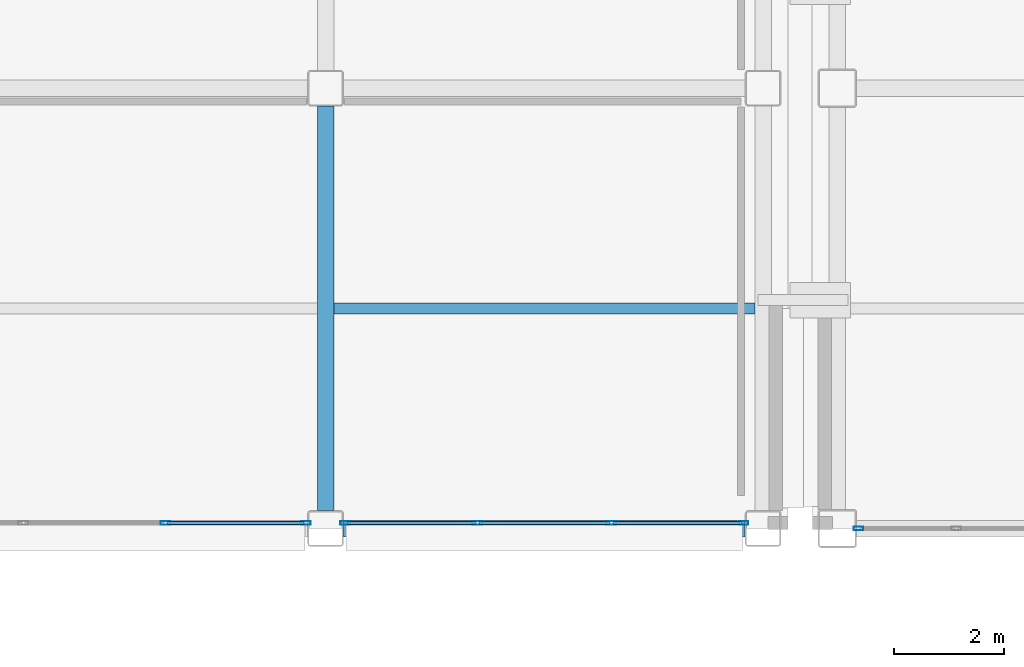
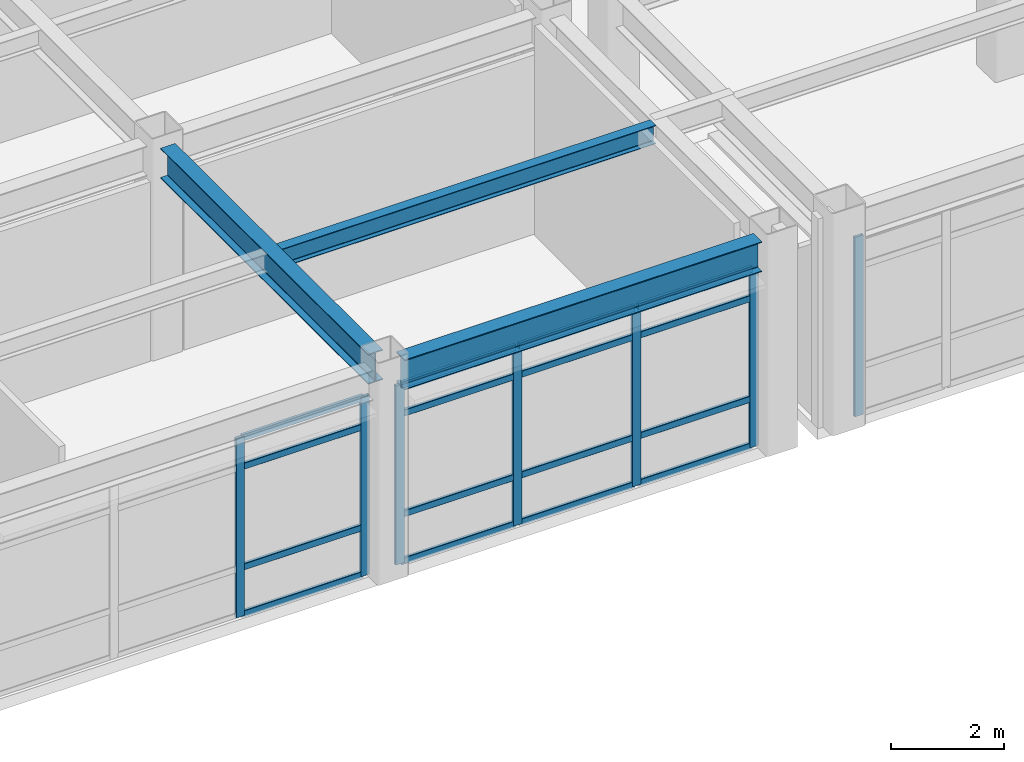
# One storey, part 45 of 172: 23 members, 3 beams, 3 elements without a shape of their own.
"""IFC4 building model written with IfcOpenShell, lengths in metres."""

from ifc_helpers import new_model, si_unit, direction, frame, origin, origin_2d, place, context, subcontext, project, spatial, hollow_rectangle, i_section, extrude, material, layer, layer_set, material_profile, profile_set, type_object, element, aggregate, save


model = new_model("IFC4")

# Units and contexts
model_context = context("Model", 3, precision=1e-05, world=origin(), true_north=direction((0.0, 1.0)))
body_context = subcontext(model_context, "Body", "Model", "MODEL_VIEW")
ifc_project = project(units=[si_unit("LENGTHUNIT", "METRE"), si_unit("AREAUNIT", "SQUARE_METRE"), si_unit("VOLUMEUNIT", "CUBIC_METRE"), si_unit("PLANEANGLEUNIT", "RADIAN"), si_unit("MASSUNIT", "GRAM", prefix="KILO")], contexts=[model_context])

# Site, building, storey
site_placement = place(None, origin())
site = spatial("IfcSite", under=ifc_project, at=site_placement, CompositionType="ELEMENT")
building_placement = place(site_placement, origin())
building = spatial("IfcBuilding", under=site, at=building_placement, Name="Kazehara Bluff Congress Hotel", CompositionType="ELEMENT")
storey_placement = place(building_placement, frame((0.0, 0.0, 5.39990234375)))
storey = spatial("IfcBuildingStorey", under=building, at=storey_placement, Name="L01", CompositionType="ELEMENT", Elevation=5.39990234375)

# Curtain wall, member
ifc_material_1 = material(Name="Anodised aluminium", Category="aluminium")
ifc_layer_1 = layer(ifc_material_1, 0.159912109375)
ifc_layer_set_1 = layer_set([ifc_layer_1], Name="Anodised aluminium")
curtain_wall_type_1 = type_object("IfcCurtainWallType", Name="TP-CW-78", PredefinedType="NOTDEFINED", material=ifc_layer_set_1)
curtain_wall_1_placement = place(storey_placement, origin())
curtain_wall_1 = element("IfcCurtainWall", 1, at=curtain_wall_1_placement, inside=storey, type_object=curtain_wall_type_1, Name="L01 curtain wall CW-78 CW-V5-L01-Y1600-11090", PredefinedType="NOTDEFINED")
ifc_material_2 = material(Name="Anodised aluminium", Category="aluminium")
ifc_material_profile_1 = material_profile(ifc_material_2, hollow_rectangle(XDim=0.06494140625, YDim=0.179931640625, WallThickness=0.00390625, InnerFilletRadius=0.00390625, OuterFilletRadius=0.008056640625, at=origin_2d()))
ifc_profile_set_1 = profile_set([ifc_material_profile_1], Name="Anodised aluminium")
member_type_1 = type_object("IfcMemberType", Name="TP-CWM-02", PredefinedType="MULLION", material=ifc_profile_set_1)
member_1_placement = place(storey_placement, frame((110.9326171875, 16.0, 0.0), z_axis=(0.0, 0.0, 1.0), x_axis=(0.0, 1.0, 0.0)))
member_1 = element("IfcMember", 2, at=member_1_placement, type_object=member_type_1, Name="CW-78 mullion 1", PredefinedType="MULLION", context=body_context, shape_type="SweptSolid", body=[
    extrude(hollow_rectangle(XDim=0.06494140625, YDim=0.179931640625, WallThickness=0.00390625, InnerFilletRadius=0.00390625, OuterFilletRadius=0.008056640625, at=origin_2d()), origin(), (0.0, 0.0, 1.0), 3.875),
])
aggregate(curtain_wall_1, [member_1])

# Curtain wall, members
ifc_material_3 = material(Name="Anodised aluminium", Category="aluminium")
ifc_layer_2 = layer(ifc_material_3, 0.159912109375)
ifc_layer_set_2 = layer_set([ifc_layer_2], Name="Anodised aluminium")
curtain_wall_type_2 = type_object("IfcCurtainWallType", Name="TP-CW-24", PredefinedType="NOTDEFINED", material=ifc_layer_set_2)
curtain_wall_2_placement = place(storey_placement, origin())
curtain_wall_2 = element("IfcCurtainWall", 3, at=curtain_wall_2_placement, inside=storey, type_object=curtain_wall_type_2, Name="L01 curtain wall CW-24 CW-ENC-V4-L01-9705-1610", PredefinedType="NOTDEFINED")
member_2_placement = place(storey_placement, frame((100.892578125, 16.10009765625, 0.0), z_axis=(0.0, 0.0, 1.0), x_axis=(0.0, -1.0, 0.0)))
member_2 = element("IfcMember", 4, at=member_2_placement, type_object=member_type_1, Name="CW-24 mullion 1", PredefinedType="MULLION", context=body_context, shape_type="SweptSolid", body=[
    extrude(hollow_rectangle(XDim=0.06494140625, YDim=0.179931640625, WallThickness=0.00390625, InnerFilletRadius=0.00390625, OuterFilletRadius=0.008056640625, at=origin_2d()), origin(), (0.0, 0.0, 1.0), 3.875),
])
member_3_placement = place(storey_placement, frame((98.341552734375, 16.10009765625, 0.0), z_axis=(0.0, 0.0, 1.0), x_axis=(0.0, -1.0, 0.0)))
member_3 = element("IfcMember", 5, at=member_3_placement, type_object=member_type_1, Name="CW-24 mullion 2", PredefinedType="MULLION", context=body_context, shape_type="SweptSolid", body=[
    extrude(hollow_rectangle(XDim=0.06494140625, YDim=0.179931640625, WallThickness=0.00390625, InnerFilletRadius=0.00390625, OuterFilletRadius=0.008056640625, at=origin_2d()), origin(), (0.0, 0.0, 1.0), 3.875),
])

ifc_material_4 = material(Name="Anodised aluminium", Category="aluminium")
ifc_layer_3 = layer(ifc_material_4, 0.159912109375)
ifc_layer_set_3 = layer_set([ifc_layer_3], Name="Anodised aluminium")
curtain_wall_type_3 = type_object("IfcCurtainWallType", Name="TP-CW-80", PredefinedType="NOTDEFINED", material=ifc_layer_set_3)
curtain_wall_3_placement = place(storey_placement, origin())
curtain_wall_3 = element("IfcCurtainWall", 6, at=curtain_wall_3_placement, inside=storey, type_object=curtain_wall_type_3, Name="L01 curtain wall CW-80 CW-ENC-V4-L01-10522-1610", PredefinedType="NOTDEFINED")
member_4_placement = place(storey_placement, frame((108.842529296875, 16.10009765625, 0.0), z_axis=(0.0, 0.0, 1.0), x_axis=(0.0, -1.0, 0.0)))
member_4 = element("IfcMember", 7, at=member_4_placement, type_object=member_type_1, Name="CW-80 mullion 1", PredefinedType="MULLION", context=body_context, shape_type="SweptSolid", body=[
    extrude(hollow_rectangle(XDim=0.06494140625, YDim=0.179931640625, WallThickness=0.00390625, InnerFilletRadius=0.00390625, OuterFilletRadius=0.008056640625, at=origin_2d()), origin(), (0.0, 0.0, 1.0), 3.875),
])
member_5_placement = place(storey_placement, frame((106.441650390625, 16.10009765625, 0.0), z_axis=(0.0, 0.0, 1.0), x_axis=(0.0, -1.0, 0.0)))
member_5 = element("IfcMember", 8, at=member_5_placement, type_object=member_type_1, Name="CW-80 mullion 2", PredefinedType="MULLION", context=body_context, shape_type="SweptSolid", body=[
    extrude(hollow_rectangle(XDim=0.06494140625, YDim=0.179931640625, WallThickness=0.00390625, InnerFilletRadius=0.00390625, OuterFilletRadius=0.008056640625, at=origin_2d()), origin(), (0.0, 0.0, 1.0), 3.875),
])
member_6_placement = place(storey_placement, frame((104.00830078125, 16.10009765625, 0.0), z_axis=(0.0, 0.0, 1.0), x_axis=(0.0, -1.0, 0.0)))
member_6 = element("IfcMember", 9, at=member_6_placement, type_object=member_type_1, Name="CW-80 mullion 3", PredefinedType="MULLION", context=body_context, shape_type="SweptSolid", body=[
    extrude(hollow_rectangle(XDim=0.06494140625, YDim=0.179931640625, WallThickness=0.00390625, InnerFilletRadius=0.00390625, OuterFilletRadius=0.008056640625, at=origin_2d()), origin(), (0.0, 0.0, 1.0), 3.875),
])
member_7_placement = place(storey_placement, frame((101.607421875, 16.10009765625, 0.0), z_axis=(0.0, 0.0, 1.0), x_axis=(0.0, -1.0, 0.0)))
member_7 = element("IfcMember", 10, at=member_7_placement, type_object=member_type_1, Name="CW-80 mullion 4", PredefinedType="MULLION", context=body_context, shape_type="SweptSolid", body=[
    extrude(hollow_rectangle(XDim=0.06494140625, YDim=0.179931640625, WallThickness=0.00390625, InnerFilletRadius=0.00390625, OuterFilletRadius=0.008056640625, at=origin_2d()), origin(), (0.0, 0.0, 1.0), 3.875),
])

# Member
ifc_material_5 = material(Name="Anodised aluminium", Category="aluminium")
ifc_material_profile_2 = material_profile(ifc_material_5, hollow_rectangle(XDim=0.06494140625, YDim=0.139892578125, WallThickness=0.00390625, InnerFilletRadius=0.00390625, OuterFilletRadius=0.008056640625, at=origin_2d()))
ifc_profile_set_2 = profile_set([ifc_material_profile_2], Name="Anodised aluminium")
member_type_2 = type_object("IfcMemberType", Name="TP-CWT-02", PredefinedType="USERDEFINED", material=ifc_profile_set_2)
member_8_placement = place(storey_placement, frame((100.860107421875, 16.10009765625, 0.03271484375), z_axis=(-1.0, 0.0, 0.0), x_axis=(0.0, -1.0, 0.0)))
member_8 = element("IfcMember", 11, at=member_8_placement, type_object=member_type_2, Name="CW-24 transom 1.1", ObjectType="TRANSOM", PredefinedType="USERDEFINED", context=body_context, shape_type="SweptSolid", body=[
    extrude(hollow_rectangle(XDim=0.06494140625, YDim=0.139892578125, WallThickness=0.00390625, InnerFilletRadius=0.00390625, OuterFilletRadius=0.008056640625, at=origin_2d()), origin(), (0.0, 0.0, 1.0), 2.48583984375),
])

member_9_placement = place(storey_placement, frame((100.860107421875, 16.10009765625, 1.050048828125), z_axis=(-1.0, 0.0, 0.0), x_axis=(0.0, -1.0, 0.0)))
member_9 = element("IfcMember", 12, at=member_9_placement, type_object=member_type_2, Name="CW-24 transom 1.2", ObjectType="TRANSOM", PredefinedType="USERDEFINED", context=body_context, shape_type="SweptSolid", body=[
    extrude(hollow_rectangle(XDim=0.06494140625, YDim=0.139892578125, WallThickness=0.00390625, InnerFilletRadius=0.00390625, OuterFilletRadius=0.008056640625, at=origin_2d()), origin(), (0.0, 0.0, 1.0), 2.48583984375),
])

member_10_placement = place(storey_placement, frame((100.860107421875, 16.10009765625, 3.22509765625), z_axis=(-1.0, 0.0, 0.0), x_axis=(0.0, -1.0, 0.0)))
member_10 = element("IfcMember", 13, at=member_10_placement, type_object=member_type_2, Name="CW-24 transom 1.3", ObjectType="TRANSOM", PredefinedType="USERDEFINED", context=body_context, shape_type="SweptSolid", body=[
    extrude(hollow_rectangle(XDim=0.06494140625, YDim=0.139892578125, WallThickness=0.00390625, InnerFilletRadius=0.00390625, OuterFilletRadius=0.008056640625, at=origin_2d()), origin(), (0.0, 0.0, 1.0), 2.48583984375),
])

member_11_placement = place(storey_placement, frame((100.860107421875, 16.10009765625, 3.842529296875), z_axis=(-1.0, 0.0, 0.0), x_axis=(0.0, -1.0, 0.0)))
member_11 = element("IfcMember", 14, at=member_11_placement, type_object=member_type_2, Name="CW-24 transom 1.4", ObjectType="TRANSOM", PredefinedType="USERDEFINED", context=body_context, shape_type="SweptSolid", body=[
    extrude(hollow_rectangle(XDim=0.06494140625, YDim=0.139892578125, WallThickness=0.00390625, InnerFilletRadius=0.00390625, OuterFilletRadius=0.008056640625, at=origin_2d()), origin(), (0.0, 0.0, 1.0), 2.48583984375),
])

aggregate(curtain_wall_2, [member_2, member_3, member_8, member_9, member_10, member_11])

member_12_placement = place(storey_placement, frame((108.81005859375, 16.10009765625, 0.03271484375), z_axis=(-1.0, 0.0, 0.0), x_axis=(0.0, -1.0, 0.0)))
member_12 = element("IfcMember", 15, at=member_12_placement, type_object=member_type_2, Name="CW-80 transom 1.1", ObjectType="TRANSOM", PredefinedType="USERDEFINED", context=body_context, shape_type="SweptSolid", body=[
    extrude(hollow_rectangle(XDim=0.06494140625, YDim=0.139892578125, WallThickness=0.00390625, InnerFilletRadius=0.00390625, OuterFilletRadius=0.008056640625, at=origin_2d()), origin(), (0.0, 0.0, 1.0), 2.3359375),
])

member_13_placement = place(storey_placement, frame((108.81005859375, 16.10009765625, 1.050048828125), z_axis=(-1.0, 0.0, 0.0), x_axis=(0.0, -1.0, 0.0)))
member_13 = element("IfcMember", 16, at=member_13_placement, type_object=member_type_2, Name="CW-80 transom 1.2", ObjectType="TRANSOM", PredefinedType="USERDEFINED", context=body_context, shape_type="SweptSolid", body=[
    extrude(hollow_rectangle(XDim=0.06494140625, YDim=0.139892578125, WallThickness=0.00390625, InnerFilletRadius=0.00390625, OuterFilletRadius=0.008056640625, at=origin_2d()), origin(), (0.0, 0.0, 1.0), 2.3359375),
])

member_14_placement = place(storey_placement, frame((108.81005859375, 16.10009765625, 3.22509765625), z_axis=(-1.0, 0.0, 0.0), x_axis=(0.0, -1.0, 0.0)))
member_14 = element("IfcMember", 17, at=member_14_placement, type_object=member_type_2, Name="CW-80 transom 1.3", ObjectType="TRANSOM", PredefinedType="USERDEFINED", context=body_context, shape_type="SweptSolid", body=[
    extrude(hollow_rectangle(XDim=0.06494140625, YDim=0.139892578125, WallThickness=0.00390625, InnerFilletRadius=0.00390625, OuterFilletRadius=0.008056640625, at=origin_2d()), origin(), (0.0, 0.0, 1.0), 2.3359375),
])

member_15_placement = place(storey_placement, frame((108.81005859375, 16.10009765625, 3.842529296875), z_axis=(-1.0, 0.0, 0.0), x_axis=(0.0, -1.0, 0.0)))
member_15 = element("IfcMember", 18, at=member_15_placement, type_object=member_type_2, Name="CW-80 transom 1.4", ObjectType="TRANSOM", PredefinedType="USERDEFINED", context=body_context, shape_type="SweptSolid", body=[
    extrude(hollow_rectangle(XDim=0.06494140625, YDim=0.139892578125, WallThickness=0.00390625, InnerFilletRadius=0.00390625, OuterFilletRadius=0.008056640625, at=origin_2d()), origin(), (0.0, 0.0, 1.0), 2.3359375),
])

member_16_placement = place(storey_placement, frame((106.4091796875, 16.10009765625, 0.03271484375), z_axis=(-1.0, 0.0, 0.0), x_axis=(0.0, -1.0, 0.0)))
member_16 = element("IfcMember", 19, at=member_16_placement, type_object=member_type_2, Name="CW-80 transom 2.1", ObjectType="TRANSOM", PredefinedType="USERDEFINED", context=body_context, shape_type="SweptSolid", body=[
    extrude(hollow_rectangle(XDim=0.06494140625, YDim=0.139892578125, WallThickness=0.00390625, InnerFilletRadius=0.00390625, OuterFilletRadius=0.008056640625, at=origin_2d()), origin(), (0.0, 0.0, 1.0), 2.368408203125),
])

member_17_placement = place(storey_placement, frame((106.4091796875, 16.10009765625, 1.050048828125), z_axis=(-1.0, 0.0, 0.0), x_axis=(0.0, -1.0, 0.0)))
member_17 = element("IfcMember", 20, at=member_17_placement, type_object=member_type_2, Name="CW-80 transom 2.2", ObjectType="TRANSOM", PredefinedType="USERDEFINED", context=body_context, shape_type="SweptSolid", body=[
    extrude(hollow_rectangle(XDim=0.06494140625, YDim=0.139892578125, WallThickness=0.00390625, InnerFilletRadius=0.00390625, OuterFilletRadius=0.008056640625, at=origin_2d()), origin(), (0.0, 0.0, 1.0), 2.368408203125),
])

member_18_placement = place(storey_placement, frame((106.4091796875, 16.10009765625, 3.22509765625), z_axis=(-1.0, 0.0, 0.0), x_axis=(0.0, -1.0, 0.0)))
member_18 = element("IfcMember", 21, at=member_18_placement, type_object=member_type_2, Name="CW-80 transom 2.3", ObjectType="TRANSOM", PredefinedType="USERDEFINED", context=body_context, shape_type="SweptSolid", body=[
    extrude(hollow_rectangle(XDim=0.06494140625, YDim=0.139892578125, WallThickness=0.00390625, InnerFilletRadius=0.00390625, OuterFilletRadius=0.008056640625, at=origin_2d()), origin(), (0.0, 0.0, 1.0), 2.368408203125),
])

member_19_placement = place(storey_placement, frame((106.4091796875, 16.10009765625, 3.842529296875), z_axis=(-1.0, 0.0, 0.0), x_axis=(0.0, -1.0, 0.0)))
member_19 = element("IfcMember", 22, at=member_19_placement, type_object=member_type_2, Name="CW-80 transom 2.4", ObjectType="TRANSOM", PredefinedType="USERDEFINED", context=body_context, shape_type="SweptSolid", body=[
    extrude(hollow_rectangle(XDim=0.06494140625, YDim=0.139892578125, WallThickness=0.00390625, InnerFilletRadius=0.00390625, OuterFilletRadius=0.008056640625, at=origin_2d()), origin(), (0.0, 0.0, 1.0), 2.368408203125),
])

member_20_placement = place(storey_placement, frame((103.975830078125, 16.10009765625, 0.03271484375), z_axis=(-1.0, 0.0, 0.0), x_axis=(0.0, -1.0, 0.0)))
member_20 = element("IfcMember", 23, at=member_20_placement, type_object=member_type_2, Name="CW-80 transom 3.1", ObjectType="TRANSOM", PredefinedType="USERDEFINED", context=body_context, shape_type="SweptSolid", body=[
    extrude(hollow_rectangle(XDim=0.06494140625, YDim=0.139892578125, WallThickness=0.00390625, InnerFilletRadius=0.00390625, OuterFilletRadius=0.008056640625, at=origin_2d()), origin(), (0.0, 0.0, 1.0), 2.3359375),
])

member_21_placement = place(storey_placement, frame((103.975830078125, 16.10009765625, 1.050048828125), z_axis=(-1.0, 0.0, 0.0), x_axis=(0.0, -1.0, 0.0)))
member_21 = element("IfcMember", 24, at=member_21_placement, type_object=member_type_2, Name="CW-80 transom 3.2", ObjectType="TRANSOM", PredefinedType="USERDEFINED", context=body_context, shape_type="SweptSolid", body=[
    extrude(hollow_rectangle(XDim=0.06494140625, YDim=0.139892578125, WallThickness=0.00390625, InnerFilletRadius=0.00390625, OuterFilletRadius=0.008056640625, at=origin_2d()), origin(), (0.0, 0.0, 1.0), 2.3359375),
])

member_22_placement = place(storey_placement, frame((103.975830078125, 16.10009765625, 3.22509765625), z_axis=(-1.0, 0.0, 0.0), x_axis=(0.0, -1.0, 0.0)))
member_22 = element("IfcMember", 25, at=member_22_placement, type_object=member_type_2, Name="CW-80 transom 3.3", ObjectType="TRANSOM", PredefinedType="USERDEFINED", context=body_context, shape_type="SweptSolid", body=[
    extrude(hollow_rectangle(XDim=0.06494140625, YDim=0.139892578125, WallThickness=0.00390625, InnerFilletRadius=0.00390625, OuterFilletRadius=0.008056640625, at=origin_2d()), origin(), (0.0, 0.0, 1.0), 2.3359375),
])

member_23_placement = place(storey_placement, frame((103.975830078125, 16.10009765625, 3.842529296875), z_axis=(-1.0, 0.0, 0.0), x_axis=(0.0, -1.0, 0.0)))
member_23 = element("IfcMember", 26, at=member_23_placement, type_object=member_type_2, Name="CW-80 transom 3.4", ObjectType="TRANSOM", PredefinedType="USERDEFINED", context=body_context, shape_type="SweptSolid", body=[
    extrude(hollow_rectangle(XDim=0.06494140625, YDim=0.139892578125, WallThickness=0.00390625, InnerFilletRadius=0.00390625, OuterFilletRadius=0.008056640625, at=origin_2d()), origin(), (0.0, 0.0, 1.0), 2.3359375),
])

aggregate(curtain_wall_3, [member_4, member_5, member_6, member_7, member_12, member_13, member_14, member_15, member_16, member_17, member_18, member_19, member_20, member_21, member_22, member_23])

# Beams
ifc_material_6 = material(Name="Steel SN490B", Category="steel")
ifc_material_profile_3 = material_profile(ifc_material_6, i_section(OverallWidth=0.300048828125, OverallDepth=0.64990234375, WebThickness=0.011962890625, FlangeThickness=0.02001953125, FilletRadius=0.012939453125, at=origin_2d()))
ifc_profile_set_3 = profile_set([ifc_material_profile_3], Name="Steel SN490B")
beam_type_1 = type_object("IfcBeamType", Name="TP-G-03", PredefinedType="BEAM", material=ifc_profile_set_3)
beam_1_placement = place(storey_placement, frame((101.25, 16.324951171875, 4.22509765625), z_axis=(0.0, 1.0, 0.0), x_axis=(-1.0, 0.0, 0.0)))
element("IfcBeam", 27, at=beam_1_placement, inside=storey, type_object=beam_type_1, Name="L01 girder G-03 175", PredefinedType="BEAM", context=body_context, shape_type="SweptSolid", body=[
    extrude(i_section(OverallWidth=0.300048828125, OverallDepth=0.64990234375, WebThickness=0.011962890625, FlangeThickness=0.02001953125, FilletRadius=0.012939453125, at=origin_2d()), origin(), (0.0, 0.0, 1.0), 7.35009765625),
])
beam_2_placement = place(storey_placement, frame((101.574951171875, 16.0, 4.22509765625), z_axis=(1.0, 0.0, 0.0), x_axis=(0.0, 1.0, 0.0)))
element("IfcBeam", 28, at=beam_2_placement, inside=storey, type_object=beam_type_1, Name="L01 girder G-03 192", PredefinedType="BEAM", context=body_context, shape_type="SweptSolid", body=[
    extrude(i_section(OverallWidth=0.300048828125, OverallDepth=0.64990234375, WebThickness=0.011962890625, FlangeThickness=0.02001953125, FilletRadius=0.012939453125, at=origin_2d()), origin(), (0.0, 0.0, 1.0), 7.300048828125),
])
ifc_material_7 = material(Name="Steel SN400B", Category="steel")
ifc_material_profile_4 = material_profile(ifc_material_7, i_section(OverallWidth=0.199951171875, OverallDepth=0.39990234375, WebThickness=0.008056640625, FlangeThickness=0.012939453125, FilletRadius=0.012939453125, at=origin_2d()))
ifc_profile_set_4 = profile_set([ifc_material_profile_4], Name="Steel SN400B")
beam_type_2 = type_object("IfcBeamType", Name="TP-J-03", PredefinedType="JOIST", material=ifc_profile_set_4)
beam_3_placement = place(storey_placement, frame((101.39990234375, 20.0, 4.35009765625), z_axis=(1.0, 0.0, 0.0), x_axis=(0.0, 1.0, 0.0)))
element("IfcBeam", 29, at=beam_3_placement, inside=storey, type_object=beam_type_2, Name="L01 secondary joist J-03 50", PredefinedType="JOIST", context=body_context, shape_type="SweptSolid", body=[
    extrude(i_section(OverallWidth=0.199951171875, OverallDepth=0.39990234375, WebThickness=0.008056640625, FlangeThickness=0.012939453125, FilletRadius=0.012939453125, at=origin_2d()), origin(), (0.0, 0.0, 1.0), 7.650146484375),
])

save(model, "model.ifc")
